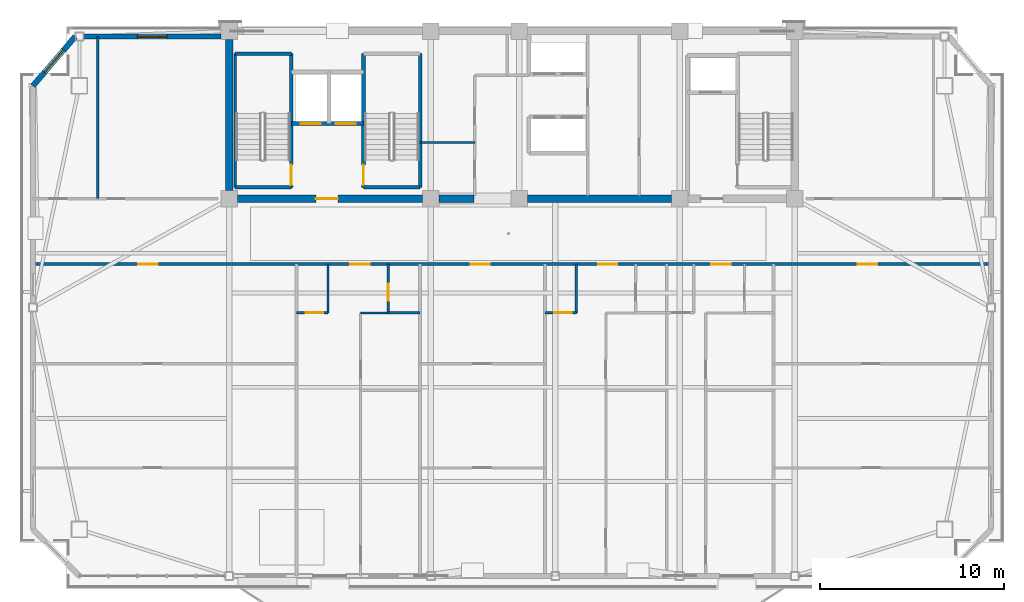
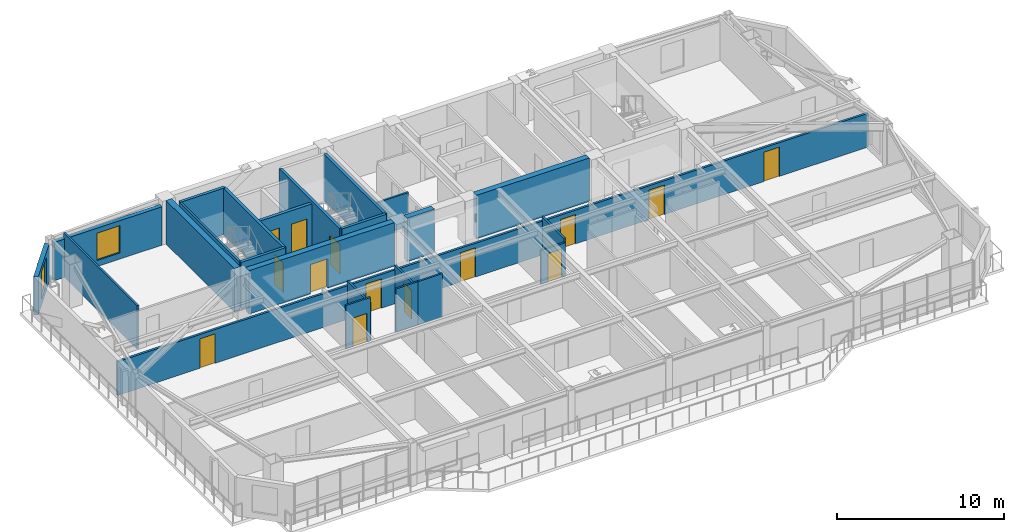
# One storey, part 9 of 17: 24 walls, 14 doors, 2 windows, 16 openings.
"""IFC4 building model written with IfcOpenShell, lengths in metres."""

import ifcopenshell
import ifcopenshell.guid

model = None  # the IFC model being written
_history = None  # IfcOwnerHistory: only IFC2X3 demands one
_inside = {}  # id of a spatial element -> (the spatial element, [elements in it])
_under = {}  # id of a project, library or spatial element -> (it, [spatial elements below it])
_declared = {}  # id of a project -> (the project, [libraries it declares])
_typed = {}  # id of a type object -> (the type object, [elements of that type])
_made_of = {}  # id of a material, layer set ... -> (it, [elements and type objects made of it])


def new_model(schema):
    """Start an empty IFC model of exactly this schema.

    Asked for "IFC4X3", IfcOpenShell would pick the latest addendum, in which some entities
    have other attributes; the version numbers below select the first issue.
    IFC2X3 requires an IfcOwnerHistory on every rooted entity: one is made here for all.
    """
    global model, _history
    if schema == "IFC4X3":
        model = ifcopenshell.file(schema_version=(4, 3, 0, 0))
    else:
        model = ifcopenshell.file(schema=schema)
    _inside.clear()
    _under.clear()
    _declared.clear()
    _typed.clear()
    _made_of.clear()
    _history = None
    if model.schema == "IFC2X3":
        org = make("IfcOrganization", Name="unknown")
        user = make(
            "IfcPersonAndOrganization",
            ThePerson=make("IfcPerson", FamilyName="unknown"),
            TheOrganization=org,
        )
        app = make(
            "IfcApplication",
            ApplicationDeveloper=org,
            Version="unknown",
            ApplicationFullName="unknown",
            ApplicationIdentifier="unknown",
        )
        _history = make(
            "IfcOwnerHistory",
            OwningUser=user,
            OwningApplication=app,
            ChangeAction="ADDED",
            CreationDate=0,
        )
    return model


def make(cls, **values):
    """One entity of the class cls with the attributes given. An attribute that is None is left unset."""
    return model.create_entity(
        cls, **{name: value for name, value in values.items() if value is not None}
    )


def rooted(cls, **values):
    """An entity with a GlobalId (a new one), such as an element, a storey or a relation."""
    return make(cls, GlobalId=ifcopenshell.guid.new(), OwnerHistory=_history, **values)


def si_unit(unit_type, name, prefix=None):
    """IfcSIUnit, for example si_unit("LENGTHUNIT", "METRE", prefix="MILLI")."""
    return make("IfcSIUnit", UnitType=unit_type, Prefix=prefix, Name=name)


def assignment(units):
    """IfcUnitAssignment: the units of a project."""
    return None if units is None else make("IfcUnitAssignment", Units=units)


def point(xyz):
    """IfcCartesianPoint."""
    return None if xyz is None else make("IfcCartesianPoint", Coordinates=xyz)


def direction(xyz):
    """IfcDirection."""
    return None if xyz is None else make("IfcDirection", DirectionRatios=xyz)


def frame(location, z_axis=None, x_axis=None):
    """IfcAxis2Placement3D, a coordinate frame: its origin and axes. An axis left out is left unset."""
    return make(
        "IfcAxis2Placement3D",
        Location=point(location),
        Axis=direction(z_axis),
        RefDirection=direction(x_axis),
    )


def frame_2d(location, x_axis=None):
    """IfcAxis2Placement2D, a coordinate frame in the plane: its origin and x axis."""
    return make(
        "IfcAxis2Placement2D", Location=point(location), RefDirection=direction(x_axis)
    )


def origin():
    """The frame at (0, 0, 0) with its axes left unset."""
    return frame((0.0, 0.0, 0.0))


def place(relative_to, where):
    """IfcLocalPlacement: puts the frame where relative to a parent placement (None: the world)."""
    return make(
        "IfcLocalPlacement", PlacementRelTo=relative_to, RelativePlacement=where
    )


def context(
    kind, dimensions, precision=None, world=None, true_north=None, identifier=None
):
    """IfcGeometricRepresentationContext, for example the 3D "Model" context."""
    return make(
        "IfcGeometricRepresentationContext",
        ContextIdentifier=identifier,
        ContextType=kind,
        CoordinateSpaceDimension=dimensions,
        Precision=precision,
        WorldCoordinateSystem=world,
        TrueNorth=true_north,
    )


def subcontext(parent, identifier, kind, view, scale=None):
    """IfcGeometricRepresentationSubContext, for example "Body" below "Model"."""
    return make(
        "IfcGeometricRepresentationSubContext",
        ContextIdentifier=identifier,
        ContextType=kind,
        ParentContext=parent,
        TargetScale=scale,
        TargetView=view,
    )


def project(units=None, contexts=None):
    """IfcProject with its units and contexts."""
    return rooted(
        "IfcProject",
        Name="project",
        RepresentationContexts=contexts,
        UnitsInContext=assignment(units),
    )


def spatial(cls, under=None, at=None, **own):
    """A site, building, storey or space (cls), placed at a placement, below another one or the project."""
    s = rooted(cls, ObjectPlacement=at, **own)
    if under is not None:
        _under.setdefault(under.id(), (under, []))[1].append(s)
    return s


def profile(cls, at=None, kind="AREA", **sizes):
    """A parametric profile (cls). Its sizes go by their IFC names, for example OverallWidth=200.0."""
    return make(cls, ProfileType=kind, Position=at, **sizes)


def rectangle(**sizes):
    """IfcRectangleProfileDef."""
    return profile("IfcRectangleProfileDef", **sizes)


def extrude(swept, where, along, depth):
    """IfcExtrudedAreaSolid: the profile swept, set in the frame where, extruded along a direction by depth."""
    return make(
        "IfcExtrudedAreaSolid",
        SweptArea=swept,
        Position=where,
        ExtrudedDirection=direction(along),
        Depth=depth,
    )


def shape(context_of_items, identifier, shape_type, items):
    """IfcShapeRepresentation: the items that make up one representation, for example the "Body"."""
    return make(
        "IfcShapeRepresentation",
        ContextOfItems=context_of_items,
        RepresentationIdentifier=identifier,
        RepresentationType=shape_type,
        Items=items,
    )


def source(mapping_origin, context_of_items, identifier, shape_type, items):
    """IfcRepresentationMap: a shape defined once, which mapped items show again and again."""
    return make(
        "IfcRepresentationMap",
        MappingOrigin=mapping_origin,
        MappedRepresentation=shape(context_of_items, identifier, shape_type, items),
    )


def transform(
    local_origin,
    x_axis=None,
    y_axis=None,
    z_axis=None,
    scale=None,
    scale2=None,
    scale3=None,
    uniform=True,
):
    """IfcCartesianTransformationOperator3D, or its non-uniform kind. x_axis, y_axis, z_axis: its Axis1, 2, 3."""
    if uniform:
        return make(
            "IfcCartesianTransformationOperator3D",
            Axis1=direction(x_axis),
            Axis2=direction(y_axis),
            LocalOrigin=point(local_origin),
            Scale=scale,
            Axis3=direction(z_axis),
        )
    return make(
        "IfcCartesianTransformationOperator3DnonUniform",
        Axis1=direction(x_axis),
        Axis2=direction(y_axis),
        LocalOrigin=point(local_origin),
        Scale=scale,
        Axis3=direction(z_axis),
        Scale2=scale2,
        Scale3=scale3,
    )


def mapped(mapping_source, mapping_target):
    """IfcMappedItem: shows the shape of a source again, moved by a transform."""
    return make(
        "IfcMappedItem", MappingSource=mapping_source, MappingTarget=mapping_target
    )


def material(Name=None, Category=None):
    """IfcMaterial."""
    return make("IfcMaterial", Name=Name, Category=Category)


def layer(
    of_material, thickness, ventilated=None, Name=None, Category=None, Priority=None
):
    """IfcMaterialLayer: one layer of a wall or slab, of a material (None: an air gap)."""
    return make(
        "IfcMaterialLayer",
        Material=of_material,
        LayerThickness=thickness,
        IsVentilated=ventilated,
        Name=Name,
        Category=Category,
        Priority=Priority,
    )


def layer_set(layers, Name=None):
    """IfcMaterialLayerSet."""
    return make("IfcMaterialLayerSet", MaterialLayers=layers, LayerSetName=Name)


def made_of(thing, what):
    """Note that an element or type object is made of a material, layer set ...; save() writes the relation."""
    if what is not None:
        _made_of.setdefault(what.id(), (what, []))[1].append(thing)
    return thing


def type_object(cls, material=None, **own):
    """A type object (cls), such as IfcWallType, which elements share."""
    return made_of(rooted(cls, **own), material)


def element(
    cls,
    number,
    at=None,
    inside=None,
    cuts=None,
    type_object=None,
    material=None,
    context=None,
    identifier="Body",
    shape_type=None,
    held_by="IfcProductDefinitionShape",
    body=None,
    shapes=None,
    **own,
):
    """One element of the class cls, such as IfcWall. Its Tag is "e" and its number.

    at: its placement. inside: the storey or other place that contains it. cuts: it is an
    opening in that element (IfcRelVoidsElement). A single representation is given by context,
    identifier, shape_type and body (its items); several are given by shapes. held_by: the class
    of the entity that holds the representations. save() writes the other relations.
    """
    e = rooted(cls, Tag="e%d" % number, ObjectPlacement=at, **own)
    if body is not None:
        shapes = [shape(context, identifier, shape_type, body)]
    if shapes is not None:
        e.Representation = make(held_by, Representations=shapes)
    if inside is not None:
        _inside.setdefault(inside.id(), (inside, []))[1].append(e)
    if cuts is not None:
        rooted(
            "IfcRelVoidsElement", RelatingBuildingElement=cuts, RelatedOpeningElement=e
        )
    if type_object is not None:
        _typed.setdefault(type_object.id(), (type_object, []))[1].append(e)
    return made_of(e, material)


def fill(opening, filler):
    """IfcRelFillsElement: the door or window that sits in an opening."""
    return rooted(
        "IfcRelFillsElement",
        RelatingOpeningElement=opening,
        RelatedBuildingElement=filler,
    )


def aggregate(whole, parts):
    """IfcRelAggregates: a whole, such as a stair, and the parts it consists of."""
    return rooted("IfcRelAggregates", RelatingObject=whole, RelatedObjects=parts)


def save(model, path):
    """Write the relations noted so far, then the file.

    IfcRelAggregates (storeys below a building ...), IfcRelContainedInSpatialStructure (elements
    in a storey), IfcRelDefinesByType, IfcRelAssociatesMaterial and IfcRelDeclares: one each for
    every whole, place, type object, material and project.
    """
    for whole, parts in _under.values():
        aggregate(whole, parts)
    for where, things in _inside.values():
        rooted(
            "IfcRelContainedInSpatialStructure",
            RelatedElements=things,
            RelatingStructure=where,
        )
    for kind, things in _typed.values():
        rooted("IfcRelDefinesByType", RelatedObjects=things, RelatingType=kind)
    for what, things in _made_of.values():
        rooted("IfcRelAssociatesMaterial", RelatedObjects=things, RelatingMaterial=what)
    for by, libraries in _declared.values():
        rooted("IfcRelDeclares", RelatingContext=by, RelatedDefinitions=libraries)
    model.write(path)


model = new_model("IFC4")

# Units and contexts
model_context = context("Model", 3, precision=1e-05, world=origin(), true_north=direction((0.0, 1.0)))
body_context = subcontext(model_context, "Body", "Model", "MODEL_VIEW")
ifc_project = project(units=[si_unit("LENGTHUNIT", "METRE"), si_unit("AREAUNIT", "SQUARE_METRE"), si_unit("VOLUMEUNIT", "CUBIC_METRE"), si_unit("PLANEANGLEUNIT", "RADIAN"), si_unit("MASSUNIT", "GRAM", prefix="KILO")], contexts=[model_context])

# Site, building, storey
site_placement = place(None, origin())
site = spatial("IfcSite", under=ifc_project, at=site_placement, CompositionType="ELEMENT")
building_placement = place(site_placement, origin())
building = spatial("IfcBuilding", under=site, at=building_placement, Name="Giltprow Tower", CompositionType="ELEMENT")
storey_placement = place(building_placement, frame((0.0, 0.0, 268.89990234375)))
storey = spatial("IfcBuildingStorey", under=building, at=storey_placement, Name="L69", CompositionType="ELEMENT", Elevation=268.89990234375)

# Wall, opening, window
ifc_material_1 = material(Name="Precast concrete C40", Category="concrete")
ifc_layer_1 = layer(ifc_material_1, 0.300048828125, Name="Precast concrete C40")
ifc_layer_set_1 = layer_set([ifc_layer_1], Name="Precast concrete C40")
wall_type_1 = type_object("IfcWallType", Name="EW-NOTCH-CHAMFER-300", PredefinedType="SOLIDWALL", material=ifc_layer_set_1)
wall_1_placement = place(storey_placement, frame((11.491943359375, 46.25, 0.0), z_axis=(0.0, 0.0, 1.0), x_axis=(-0.651874424669, -0.75832693112, 0.0)))
wall_1 = element("IfcWall", 1, at=wall_1_placement, inside=storey, type_object=wall_type_1, Name="L69 Corner Notch Wall NW", PredefinedType="SOLIDWALL", context=body_context, shape_type="SweptSolid", body=[
    extrude(rectangle(XDim=3.52490234375, YDim=0.300048828125, at=frame_2d((1.762451171875, 0.0))), origin(), (0.0, 0.0, 1.0), 2.815185546875),
])
opening_1_placement = place(wall_1_placement, frame((0.962890625, 0.0, 0.449951171875)))
opening_1 = element("IfcOpeningElement", 2, at=opening_1_placement, cuts=wall_1, Name="Opening WN17", PredefinedType="OPENING", context=body_context, shape_type="SweptSolid", body=[
    extrude(rectangle(XDim=1.60009765625, YDim=2.0, at=frame_2d((0.800048828125, 1.0))), frame((0.0, 0.159912109375, 0.0), z_axis=(0.0, -1.0, 0.0), x_axis=(1.0, 0.0, 0.0)), (0.0, 0.0, 1.0), 0.320068359375),
])
ifc_material_2 = material(Name="Insulated glass", Category="glass")
window_type = type_object("IfcWindowType", Name="WN-COR-1600x2000", PartitioningType="SINGLE_PANEL", PredefinedType="WINDOW", material=ifc_material_2)
shared_shape_1 = source(origin(), body_context, "Body", "SweptSolid", [
    extrude(rectangle(XDim=1.60009765625, YDim=2.0, at=frame_2d((0.800048828125, 1.0))), frame((0.0, 0.030029296875, 0.0), z_axis=(0.0, -1.0, 0.0), x_axis=(1.0, 0.0, 0.0)), (0.0, 0.0, 1.0), 0.06005859375),
])
window_1_placement = place(opening_1_placement, origin())
window_1 = element("IfcWindow", 3, at=window_1_placement, inside=storey, type_object=window_type, Name="L69 Corner Notch Window NW", OverallHeight=2.0, OverallWidth=1.60009765625, PartitioningType="SINGLE_PANEL", PredefinedType="WINDOW", context=body_context, shape_type="MappedRepresentation", body=[
    mapped(shared_shape_1, transform((0.0, 0.0, 0.0), x_axis=(1.0, 0.0, 0.0), y_axis=(0.0, 1.0, 0.0), z_axis=(0.0, 0.0, 1.0), scale=1.0)),
])
fill(opening_1, window_1)

ifc_layer_2 = layer(ifc_material_1, 0.280029296875, Name="Precast concrete C40")
ifc_layer_set_2 = layer_set([ifc_layer_2], Name="Precast concrete C40")
wall_type_2 = type_object("IfcWallType", Name="EW-TOW-BRONZE-280", PredefinedType="SOLIDWALL", material=ifc_layer_set_2)
wall_2_placement = place(storey_placement, frame((11.94189453125, 46.25, 0.0), z_axis=(0.0, 0.0, 1.0), x_axis=(1.0, 0.0, 0.0)))
wall_2 = element("IfcWall", 4, at=wall_2_placement, inside=storey, type_object=wall_type_2, Name="L69 North-West Wing Wall", PredefinedType="SOLIDWALL", context=body_context, shape_type="SweptSolid", body=[
    extrude(rectangle(XDim=7.4580078125, YDim=0.280029296875, at=frame_2d((3.72900390625, 0.0))), origin(), (0.0, 0.0, 1.0), 2.815185546875),
])
opening_2_placement = place(wall_2_placement, frame((2.928955078125, 0.0, 0.449951171875)))
opening_2 = element("IfcOpeningElement", 5, at=opening_2_placement, cuts=wall_2, Name="Opening WN17", PredefinedType="OPENING", context=body_context, shape_type="SweptSolid", body=[
    extrude(rectangle(XDim=1.60009765625, YDim=2.0, at=frame_2d((0.800048828125, 1.0))), frame((0.0, 0.14990234375, 0.0), z_axis=(0.0, -1.0, 0.0), x_axis=(1.0, 0.0, 0.0)), (0.0, 0.0, 1.0), 0.300048828125),
])
window_2_placement = place(opening_2_placement, origin())
window_2 = element("IfcWindow", 6, at=window_2_placement, inside=storey, type_object=window_type, Name="L69 North-West Window", OverallHeight=2.0, OverallWidth=1.60009765625, PartitioningType="SINGLE_PANEL", PredefinedType="WINDOW", context=body_context, shape_type="MappedRepresentation", body=[
    mapped(shared_shape_1, transform((0.0, 0.0, 0.0), x_axis=(1.0, 0.0, 0.0), y_axis=(0.0, 1.0, 0.0), z_axis=(0.0, 0.0, 1.0), scale=1.0)),
])
fill(opening_2, window_2)

# Wall, openings, doors
ifc_material_3 = material(Name="Gypsum stud partition", Category="gypsum")
ifc_layer_3 = layer(ifc_material_3, 0.14990234375, Name="Gypsum stud partition")
ifc_layer_set_3 = layer_set([ifc_layer_3], Name="Gypsum stud partition")
wall_type_3 = type_object("IfcWallType", Name="IW-CORR-150", PredefinedType="PARTITIONING", material=ifc_layer_set_3)
wall_3_placement = place(storey_placement, frame((9.194091796875, 33.89990234375, 0.0), z_axis=(0.0, 0.0, 1.0), x_axis=(1.0, 0.0, 0.0)))
wall_3 = element("IfcWall", 7, at=wall_3_placement, inside=storey, type_object=wall_type_3, Name="L69 Residence Gallery Corridor Wall", PredefinedType="PARTITIONING", context=body_context, shape_type="SweptSolid", body=[
    extrude(rectangle(XDim=52.012939453125, YDim=0.14990234375, at=frame_2d((26.00634765625, 0.0))), origin(), (0.0, 0.0, 1.0), 2.47021484375),
])
opening_3_placement = place(wall_3_placement, frame((5.72900390625, 0.0, 0.0)))
opening_3 = element("IfcOpeningElement", 8, at=opening_3_placement, cuts=wall_3, Name="Opening ID31", PredefinedType="OPENING", context=body_context, shape_type="SweptSolid", body=[
    extrude(rectangle(XDim=1.050048828125, YDim=2.14990234375, at=frame_2d((0.52490234375, 1.074951171875))), frame((0.0, 0.0849609375, 0.0), z_axis=(0.0, -1.0, 0.0), x_axis=(1.0, 0.0, 0.0)), (0.0, 0.0, 1.0), 0.169921875),
])
opening_4_placement = place(wall_3_placement, frame((17.23095703125, 0.0, 0.0)))
opening_4 = element("IfcOpeningElement", 9, at=opening_4_placement, cuts=wall_3, Name="Opening ID31", PredefinedType="OPENING", context=body_context, shape_type="SweptSolid", body=[
    extrude(rectangle(XDim=1.050048828125, YDim=2.14990234375, at=frame_2d((0.52490234375, 1.074951171875))), frame((0.0, 0.0849609375, 0.0), z_axis=(0.0, -1.0, 0.0), x_axis=(1.0, 0.0, 0.0)), (0.0, 0.0, 1.0), 0.169921875),
])
opening_5_placement = place(wall_3_placement, frame((23.759033203125, 0.0, 0.0)))
opening_5 = element("IfcOpeningElement", 10, at=opening_5_placement, cuts=wall_3, Name="Opening ID31", PredefinedType="OPENING", context=body_context, shape_type="SweptSolid", body=[
    extrude(rectangle(XDim=1.050048828125, YDim=2.14990234375, at=frame_2d((0.52490234375, 1.074951171875))), frame((0.0, 0.0849609375, 0.0), z_axis=(0.0, -1.0, 0.0), x_axis=(1.0, 0.0, 0.0)), (0.0, 0.0, 1.0), 0.169921875),
])
opening_6_placement = place(wall_3_placement, frame((30.680908203125, 0.0, 0.0)))
opening_6 = element("IfcOpeningElement", 11, at=opening_6_placement, cuts=wall_3, Name="Opening ID31", PredefinedType="OPENING", context=body_context, shape_type="SweptSolid", body=[
    extrude(rectangle(XDim=1.050048828125, YDim=2.14990234375, at=frame_2d((0.52490234375, 1.074951171875))), frame((0.0, 0.0849609375, 0.0), z_axis=(0.0, -1.0, 0.0), x_axis=(1.0, 0.0, 0.0)), (0.0, 0.0, 1.0), 0.169921875),
])
opening_7_placement = place(wall_3_placement, frame((36.825927734375, 0.0, 0.0)))
opening_7 = element("IfcOpeningElement", 12, at=opening_7_placement, cuts=wall_3, Name="Opening ID31", PredefinedType="OPENING", context=body_context, shape_type="SweptSolid", body=[
    extrude(rectangle(XDim=1.050048828125, YDim=2.14990234375, at=frame_2d((0.52490234375, 1.074951171875))), frame((0.0, 0.0849609375, 0.0), z_axis=(0.0, -1.0, 0.0), x_axis=(1.0, 0.0, 0.0)), (0.0, 0.0, 1.0), 0.169921875),
])
opening_8_placement = place(wall_3_placement, frame((44.785888671875, 0.0, 0.0)))
opening_8 = element("IfcOpeningElement", 13, at=opening_8_placement, cuts=wall_3, Name="Opening ID31", PredefinedType="OPENING", context=body_context, shape_type="SweptSolid", body=[
    extrude(rectangle(XDim=1.050048828125, YDim=2.14990234375, at=frame_2d((0.52490234375, 1.074951171875))), frame((0.0, 0.0849609375, 0.0), z_axis=(0.0, -1.0, 0.0), x_axis=(1.0, 0.0, 0.0)), (0.0, 0.0, 1.0), 0.169921875),
])
ifc_material_4 = material(Name="Engineered timber", Category="wood")
door_type_1 = type_object("IfcDoorType", Name="DR-SUITE-1050", OperationType="SINGLE_SWING_LEFT", PredefinedType="DOOR", material=ifc_material_4)
shared_shape_2 = source(origin(), body_context, "Body", "SweptSolid", [
    extrude(rectangle(XDim=1.050048828125, YDim=2.14990234375, at=frame_2d((0.52490234375, 1.074951171875))), frame((0.0, 0.02490234375, 0.0), z_axis=(0.0, -1.0, 0.0), x_axis=(1.0, 0.0, 0.0)), (0.0, 0.0, 1.0), 0.050048828125),
])
door_1_placement = place(opening_3_placement, origin())
door_1 = element("IfcDoor", 14, at=door_1_placement, inside=storey, type_object=door_type_1, Name="L69 Residents Board Meeting Room 1 North Door", OperationType="SINGLE_SWING_LEFT", OverallHeight=2.14990234375, OverallWidth=1.050048828125, PredefinedType="DOOR", context=body_context, shape_type="MappedRepresentation", body=[
    mapped(shared_shape_2, transform((0.0, 0.0, 0.0), x_axis=(1.0, 0.0, 0.0), y_axis=(0.0, 1.0, 0.0), z_axis=(0.0, 0.0, 1.0), scale=1.0)),
])
fill(opening_3, door_1)
door_2_placement = place(opening_4_placement, origin())
door_2 = element("IfcDoor", 15, at=door_2_placement, inside=storey, type_object=door_type_1, Name="L69 Unit 1 Entrance Door", OperationType="SINGLE_SWING_RIGHT", OverallHeight=2.14990234375, OverallWidth=1.050048828125, PredefinedType="DOOR", context=body_context, shape_type="MappedRepresentation", body=[
    mapped(shared_shape_2, transform((0.0, 0.0, 0.0), x_axis=(1.0, 0.0, 0.0), y_axis=(0.0, 1.0, 0.0), z_axis=(0.0, 0.0, 1.0), scale=1.0)),
])
fill(opening_4, door_2)
door_3_placement = place(opening_5_placement, origin())
door_3 = element("IfcDoor", 16, at=door_3_placement, inside=storey, type_object=door_type_1, Name="L69 Briefing Meeting Room 2 North Door", OperationType="SINGLE_SWING_LEFT", OverallHeight=2.14990234375, OverallWidth=1.050048828125, PredefinedType="DOOR", context=body_context, shape_type="MappedRepresentation", body=[
    mapped(shared_shape_2, transform((0.0, 0.0, 0.0), x_axis=(1.0, 0.0, 0.0), y_axis=(0.0, 1.0, 0.0), z_axis=(0.0, 0.0, 1.0), scale=1.0)),
])
fill(opening_5, door_3)
door_4_placement = place(opening_6_placement, origin())
door_4 = element("IfcDoor", 17, at=door_4_placement, inside=storey, type_object=door_type_1, Name="L69 Unit 2 Entrance Door", OperationType="SINGLE_SWING_RIGHT", OverallHeight=2.14990234375, OverallWidth=1.050048828125, PredefinedType="DOOR", context=body_context, shape_type="MappedRepresentation", body=[
    mapped(shared_shape_2, transform((0.0, 0.0, 0.0), x_axis=(1.0, 0.0, 0.0), y_axis=(0.0, 1.0, 0.0), z_axis=(0.0, 0.0, 1.0), scale=1.0)),
])
fill(opening_6, door_4)
door_5_placement = place(opening_7_placement, origin())
door_5 = element("IfcDoor", 18, at=door_5_placement, inside=storey, type_object=door_type_1, Name="L69 Unit 3 Entrance Door", OperationType="SINGLE_SWING_LEFT", OverallHeight=2.14990234375, OverallWidth=1.050048828125, PredefinedType="DOOR", context=body_context, shape_type="MappedRepresentation", body=[
    mapped(shared_shape_2, transform((0.0, 0.0, 0.0), x_axis=(1.0, 0.0, 0.0), y_axis=(0.0, 1.0, 0.0), z_axis=(0.0, 0.0, 1.0), scale=1.0)),
])
fill(opening_7, door_5)
door_6_placement = place(opening_8_placement, origin())
door_6 = element("IfcDoor", 19, at=door_6_placement, inside=storey, type_object=door_type_1, Name="L69 Screening Meeting Room 3 North Door", OperationType="SINGLE_SWING_RIGHT", OverallHeight=2.14990234375, OverallWidth=1.050048828125, PredefinedType="DOOR", context=body_context, shape_type="MappedRepresentation", body=[
    mapped(shared_shape_2, transform((0.0, 0.0, 0.0), x_axis=(1.0, 0.0, 0.0), y_axis=(0.0, 1.0, 0.0), z_axis=(0.0, 0.0, 1.0), scale=1.0)),
])
fill(opening_8, door_6)

# Wall
ifc_layer_4 = layer(ifc_material_3, 0.1201171875, Name="Gypsum stud partition")
ifc_layer_set_4 = layer_set([ifc_layer_4], Name="Gypsum stud partition")
wall_type_4 = type_object("IfcWallType", Name="IW-ROOM-120", PredefinedType="PARTITIONING", material=ifc_layer_set_4)
wall_4_placement = place(storey_placement, frame((26.97998046875, 31.25, 0.0), z_axis=(0.0, 0.0, 1.0), x_axis=(1.0, 0.0, 0.0)))
element("IfcWall", 20, at=wall_4_placement, inside=storey, type_object=wall_type_4, Name="L69 Unit 1 Bedroom North Wall", PredefinedType="PARTITIONING", context=body_context, shape_type="SweptSolid", body=[
    extrude(rectangle(XDim=1.505126953125, YDim=0.1201171875, at=frame_2d((0.75244140625, 0.0))), origin(), (0.0, 0.0, 1.0), 3.18505859375),
])

# Wall, openings, doors
ifc_material_5 = material(Name="Concrete C40", Category="concrete")
ifc_layer_5 = layer(ifc_material_5, 0.219970703125, Name="Concrete C40")
ifc_layer_set_5 = layer_set([ifc_layer_5], Name="Concrete C40")
wall_type_5 = type_object("IfcWallType", Name="IW-SHAFT-220", PredefinedType="SOLIDWALL", material=ifc_layer_set_5)
wall_5_placement = place(storey_placement, frame((23.219970703125, 41.52001953125, 0.0), z_axis=(0.0, 0.0, 1.0), x_axis=(1.0, 0.0, 0.0)))
wall_5 = element("IfcWall", 21, at=wall_5_placement, inside=storey, type_object=wall_type_5, Name="L69 FFL1 and Service Lift Front Wall", PredefinedType="SOLIDWALL", context=body_context, shape_type="SweptSolid", body=[
    extrude(rectangle(XDim=3.919921875, YDim=0.219970703125, at=frame_2d((1.9599609375, 0.0))), origin(), (0.0, 0.0, 1.0), 3.18505859375),
])
opening_9_placement = place(wall_5_placement, frame((0.5, 0.0, 0.0)))
opening_9 = element("IfcOpeningElement", 22, at=opening_9_placement, cuts=wall_5, Name="Opening LD-11", PredefinedType="OPENING", context=body_context, shape_type="SweptSolid", body=[
    extrude(rectangle(XDim=1.10009765625, YDim=2.199951171875, at=frame_2d((0.550048828125, 1.10009765625))), frame((0.0, 0.119873046875, 0.0), z_axis=(0.0, -1.0, 0.0), x_axis=(1.0, 0.0, 0.0)), (0.0, 0.0, 1.0), 0.239990234375),
])
opening_10_placement = place(wall_5_placement, frame((2.39990234375, 0.0, 0.0)))
opening_10 = element("IfcOpeningElement", 23, at=opening_10_placement, cuts=wall_5, Name="Opening LD-11", PredefinedType="OPENING", context=body_context, shape_type="SweptSolid", body=[
    extrude(rectangle(XDim=1.10009765625, YDim=2.199951171875, at=frame_2d((0.550048828125, 1.10009765625))), frame((0.0, 0.119873046875, 0.0), z_axis=(0.0, -1.0, 0.0), x_axis=(1.0, 0.0, 0.0)), (0.0, 0.0, 1.0), 0.239990234375),
])
ifc_material_6 = material(Name="Stainless steel", Category="steel")
door_type_2 = type_object("IfcDoorType", Name="DR-LIFT-LD1100", OperationType="SLIDING_TO_LEFT", PredefinedType="DOOR", material=ifc_material_6)
shared_shape_3 = source(origin(), body_context, "Body", "SweptSolid", [
    extrude(rectangle(XDim=1.10009765625, YDim=2.199951171875, at=frame_2d((0.550048828125, 1.10009765625))), frame((0.0, 0.02490234375, 0.0), z_axis=(0.0, -1.0, 0.0), x_axis=(1.0, 0.0, 0.0)), (0.0, 0.0, 1.0), 0.050048828125),
])
door_7_placement = place(opening_9_placement, origin())
door_7 = element("IfcDoor", 24, at=door_7_placement, inside=storey, type_object=door_type_2, Name="L69 FFL1 Landing Door", OperationType="SLIDING_TO_LEFT", OverallHeight=2.199951171875, OverallWidth=1.10009765625, PredefinedType="DOOR", context=body_context, shape_type="MappedRepresentation", body=[
    mapped(shared_shape_3, transform((0.0, 0.0, 0.0), x_axis=(1.0, 0.0, 0.0), y_axis=(0.0, 1.0, 0.0), z_axis=(0.0, 0.0, 1.0), scale=1.0)),
])
fill(opening_9, door_7)
door_8_placement = place(opening_10_placement, origin())
door_8 = element("IfcDoor", 25, at=door_8_placement, inside=storey, type_object=door_type_2, Name="L69 SVL1 Landing Door", OperationType="SLIDING_TO_LEFT", OverallHeight=2.199951171875, OverallWidth=1.10009765625, PredefinedType="DOOR", context=body_context, shape_type="MappedRepresentation", body=[
    mapped(shared_shape_3, transform((0.0, 0.0, 0.0), x_axis=(1.0, 0.0, 0.0), y_axis=(0.0, 1.0, 0.0), z_axis=(0.0, 0.0, 1.0), scale=1.0)),
])
fill(opening_10, door_8)

# Wall
ifc_material_7 = material(Name="Concrete C45", Category="concrete")
ifc_layer_6 = layer(ifc_material_7, 0.139892578125, Name="Concrete C45")
ifc_layer_set_6 = layer_set([ifc_layer_6], Name="Concrete C45")
wall_type_6 = type_object("IfcWallType", Name="IW-STAIR-140", PredefinedType="SOLIDWALL", material=ifc_layer_set_6)
wall_6_placement = place(storey_placement, frame((20.169921875, 38.070068359375, 0.0), z_axis=(0.0, 0.0, 1.0), x_axis=(0.0, 1.0, 0.0)))
element("IfcWall", 26, at=wall_6_placement, inside=storey, type_object=wall_type_6, Name="L69 Stair ST-1 West Bearing Wall", PredefinedType="SOLIDWALL", context=body_context, shape_type="SweptSolid", body=[
    extrude(rectangle(XDim=7.25, YDim=0.139892578125, at=frame_2d((3.625, 0.0))), origin(), (0.0, 0.0, 1.0), 3.400146484375),
])

# Wall, opening, door
ifc_layer_7 = layer(ifc_material_5, 0.199951171875, Name="Concrete C40")
ifc_layer_set_7 = layer_set([ifc_layer_7], Name="Concrete C40")
wall_type_7 = type_object("IfcWallType", Name="IW-STAIR-200", PredefinedType="SOLIDWALL", material=ifc_layer_set_7)
wall_7_placement = place(storey_placement, frame((23.219970703125, 38.070068359375, 0.0), z_axis=(0.0, 0.0, 1.0), x_axis=(0.0, 1.0, 0.0)))
wall_7 = element("IfcWall", 27, at=wall_7_placement, inside=storey, type_object=wall_type_7, Name="L69 Stair ST-1 East Bearing Wall", PredefinedType="SOLIDWALL", context=body_context, shape_type="SweptSolid", body=[
    extrude(rectangle(XDim=7.25, YDim=0.199951171875, at=frame_2d((3.625, 0.0))), origin(), (0.0, 0.0, 1.0), 3.400146484375),
])
opening_11_placement = place(wall_7_placement, frame((0.110107421875, 0.0, 0.0)))
opening_11 = element("IfcOpeningElement", 28, at=opening_11_placement, cuts=wall_7, Name="Opening ID33", PredefinedType="OPENING", context=body_context, shape_type="SweptSolid", body=[
    extrude(rectangle(XDim=1.10009765625, YDim=2.14990234375, at=frame_2d((0.550048828125, 1.074951171875))), frame((0.0, 0.10986328125, 0.0), z_axis=(0.0, -1.0, 0.0), x_axis=(1.0, 0.0, 0.0)), (0.0, 0.0, 1.0), 0.219970703125),
])
ifc_material_8 = material(Name="Steel fire leaf", Category="steel")
door_type_3 = type_object("IfcDoorType", Name="DR-STAIR-1100", OperationType="SINGLE_SWING_LEFT", PredefinedType="DOOR", material=ifc_material_8)
shared_shape_4 = source(origin(), body_context, "Body", "SweptSolid", [
    extrude(rectangle(XDim=1.10009765625, YDim=2.14990234375, at=frame_2d((0.550048828125, 1.074951171875))), frame((0.0, 0.02490234375, 0.0), z_axis=(0.0, -1.0, 0.0), x_axis=(1.0, 0.0, 0.0)), (0.0, 0.0, 1.0), 0.050048828125),
])
door_9_placement = place(opening_11_placement, origin())
door_9 = element("IfcDoor", 29, at=door_9_placement, inside=storey, type_object=door_type_3, Name="L69 Stair ST-1 Fire Door", OperationType="SINGLE_SWING_RIGHT", OverallHeight=2.14990234375, OverallWidth=1.10009765625, PredefinedType="DOOR", context=body_context, shape_type="MappedRepresentation", body=[
    mapped(shared_shape_4, transform((0.0, 0.0, 0.0), x_axis=(1.0, 0.0, 0.0), y_axis=(0.0, 1.0, 0.0), z_axis=(0.0, 0.0, 1.0), scale=1.0)),
])
fill(opening_11, door_9)

# Walls
for number, where, z_axis, x_axis, name in (
    (30, (20.169921875, 45.320068359375, 0.0), (0.0, 0.0, 1.0), (1.0, 0.0, 0.0), "L69 Stair ST-1 North Bearing Wall"),
    (31, (20.169921875, 38.070068359375, 0.0), (0.0, 0.0, 1.0), (1.0, 0.0, 0.0), "L69 Stair ST-1 South Bearing Wall"),
):
    element("IfcWall", number, at=place(storey_placement, frame(where, z_axis=z_axis, x_axis=x_axis)), inside=storey, type_object=wall_type_7, Name=name, PredefinedType="SOLIDWALL", context=body_context, shape_type="SweptSolid", body=[
        extrude(rectangle(XDim=3.050048828125, YDim=0.199951171875, at=frame_2d((1.52490234375, 0.0))), origin(), (0.0, 0.0, 1.0), 3.400146484375),
    ])

# Wall, opening, door
wall_8_placement = place(storey_placement, frame((27.139892578125, 38.070068359375, 0.0), z_axis=(0.0, 0.0, 1.0), x_axis=(0.0, 1.0, 0.0)))
wall_8 = element("IfcWall", 32, at=wall_8_placement, inside=storey, type_object=wall_type_7, Name="L69 Stair ST-2 West Bearing Wall", PredefinedType="SOLIDWALL", context=body_context, shape_type="SweptSolid", body=[
    extrude(rectangle(XDim=7.25, YDim=0.199951171875, at=frame_2d((3.625, 0.0))), origin(), (0.0, 0.0, 1.0), 3.400146484375),
])
opening_12_placement = place(wall_8_placement, frame((0.110107421875, 0.0, 0.0)))
opening_12 = element("IfcOpeningElement", 33, at=opening_12_placement, cuts=wall_8, Name="Opening ID33", PredefinedType="OPENING", context=body_context, shape_type="SweptSolid", body=[
    extrude(rectangle(XDim=1.10009765625, YDim=2.14990234375, at=frame_2d((0.550048828125, 1.074951171875))), frame((0.0, 0.10986328125, 0.0), z_axis=(0.0, -1.0, 0.0), x_axis=(1.0, 0.0, 0.0)), (0.0, 0.0, 1.0), 0.219970703125),
])
door_10_placement = place(opening_12_placement, origin())
door_10 = element("IfcDoor", 34, at=door_10_placement, inside=storey, type_object=door_type_3, Name="L69 Stair ST-2 Fire Door", OperationType="SINGLE_SWING_LEFT", OverallHeight=2.14990234375, OverallWidth=1.10009765625, PredefinedType="DOOR", context=body_context, shape_type="MappedRepresentation", body=[
    mapped(shared_shape_4, transform((0.0, 0.0, 0.0), x_axis=(1.0, 0.0, 0.0), y_axis=(0.0, 1.0, 0.0), z_axis=(0.0, 0.0, 1.0), scale=1.0)),
])
fill(opening_12, door_10)

# Walls
wall_9_placement = place(storey_placement, frame((30.219970703125, 38.070068359375, 0.0), z_axis=(0.0, 0.0, 1.0), x_axis=(0.0, 1.0, 0.0)))
element("IfcWall", 35, at=wall_9_placement, inside=storey, type_object=wall_type_7, Name="L69 Stair ST-2 East Bearing Wall", PredefinedType="SOLIDWALL", context=body_context, shape_type="SweptSolid", body=[
    extrude(rectangle(XDim=7.25, YDim=0.199951171875, at=frame_2d((3.625, 0.0))), origin(), (0.0, 0.0, 1.0), 3.400146484375),
])
wall_10_placement = place(storey_placement, frame((27.139892578125, 38.070068359375, 0.0), z_axis=(0.0, 0.0, 1.0), x_axis=(1.0, 0.0, 0.0)))
element("IfcWall", 36, at=wall_10_placement, inside=storey, type_object=wall_type_7, Name="L69 Stair ST-2 South Bearing Wall", PredefinedType="SOLIDWALL", context=body_context, shape_type="SweptSolid", body=[
    extrude(rectangle(XDim=3.080078125, YDim=0.199951171875, at=frame_2d((1.5400390625, 0.0))), origin(), (0.0, 0.0, 1.0), 3.400146484375),
])
ifc_material_9 = material(Name="Concrete C30", Category="concrete")
ifc_layer_8 = layer(ifc_material_9, 0.1298828125, Name="Concrete C30")
ifc_layer_set_8 = layer_set([ifc_layer_8], Name="Concrete C30")
wall_type_8 = type_object("IfcWallType", Name="IW-WET-130", PredefinedType="PARTITIONING", material=ifc_layer_set_8)
wall_11_placement = place(storey_placement, frame((30.219970703125, 40.5, 0.0), z_axis=(0.0, 0.0, 1.0), x_axis=(1.0, 0.0, 0.0)))
element("IfcWall", 37, at=wall_11_placement, inside=storey, type_object=wall_type_8, Name="L69 West Core Split 2", PredefinedType="PARTITIONING", context=body_context, shape_type="SweptSolid", body=[
    extrude(rectangle(XDim=2.9599609375, YDim=0.1298828125, at=frame_2d((1.47998046875, 0.0))), origin(), (0.0, 0.0, 1.0), 2.47021484375),
])

# Wall, opening, door
wall_12_placement = place(storey_placement, frame((23.5, 31.25, 0.0), z_axis=(0.0, 0.0, 1.0), x_axis=(1.0, 0.0, 0.0)))
wall_12 = element("IfcWall", 38, at=wall_12_placement, inside=storey, type_object=wall_type_8, Name="L69 Unit 1 Kitchen South Wall", PredefinedType="PARTITIONING", context=body_context, shape_type="SweptSolid", body=[
    extrude(rectangle(XDim=1.715087890625, YDim=0.1298828125, at=frame_2d((0.857421875, 0.0))), origin(), (0.0, 0.0, 1.0), 3.18505859375),
])
opening_13_placement = place(wall_12_placement, frame((0.5029296875, 0.0, 0.0)))
opening_13 = element("IfcOpeningElement", 39, at=opening_13_placement, cuts=wall_12, Name="Opening ID11", PredefinedType="OPENING", context=body_context, shape_type="SweptSolid", body=[
    extrude(rectangle(XDim=0.949951171875, YDim=2.10009765625, at=frame_2d((0.47509765625, 1.050048828125))), frame((0.0, 0.074951171875, 0.0), z_axis=(0.0, -1.0, 0.0), x_axis=(1.0, 0.0, 0.0)), (0.0, 0.0, 1.0), 0.14990234375),
])
door_type_4 = type_object("IfcDoorType", Name="DR-ROOM-950", OperationType="SINGLE_SWING_RIGHT", PredefinedType="DOOR", material=ifc_material_4)
shared_shape_5 = source(origin(), body_context, "Body", "SweptSolid", [
    extrude(rectangle(XDim=0.949951171875, YDim=2.10009765625, at=frame_2d((0.47509765625, 1.050048828125))), frame((0.0, 0.02490234375, 0.0), z_axis=(0.0, -1.0, 0.0), x_axis=(1.0, 0.0, 0.0)), (0.0, 0.0, 1.0), 0.050048828125),
])
door_11_placement = place(opening_13_placement, origin())
door_11 = element("IfcDoor", 40, at=door_11_placement, inside=storey, type_object=door_type_4, Name="L69 Unit 1 Kitchen Door", OperationType="SINGLE_SWING_LEFT", OverallHeight=2.10009765625, OverallWidth=0.949951171875, PredefinedType="DOOR", context=body_context, shape_type="MappedRepresentation", body=[
    mapped(shared_shape_5, transform((0.0, 0.0, 0.0), x_axis=(1.0, 0.0, 0.0), y_axis=(0.0, 1.0, 0.0), z_axis=(0.0, 0.0, 1.0), scale=1.0)),
])
fill(opening_13, door_11)

# Walls
wall_13_placement = place(storey_placement, frame((25.215087890625, 31.25, 0.0), z_axis=(0.0, 0.0, 1.0), x_axis=(0.0, 1.0, 0.0)))
element("IfcWall", 41, at=wall_13_placement, inside=storey, type_object=wall_type_8, Name="L69 Unit 1 Kitchen East Wall", PredefinedType="PARTITIONING", context=body_context, shape_type="SweptSolid", body=[
    extrude(rectangle(XDim=2.64990234375, YDim=0.1298828125, at=frame_2d((1.324951171875, 0.0))), origin(), (0.0, 0.0, 1.0), 2.77001953125),
])
wall_14_placement = place(storey_placement, frame((28.485107421875, 31.25, 0.0), z_axis=(0.0, 0.0, 1.0), x_axis=(1.0, 0.0, 0.0)))
element("IfcWall", 42, at=wall_14_placement, inside=storey, type_object=wall_type_8, Name="L69 Unit 1 Bathroom South Wall", PredefinedType="PARTITIONING", context=body_context, shape_type="SweptSolid", body=[
    extrude(rectangle(XDim=1.71484375, YDim=0.1298828125, at=frame_2d((0.857421875, 0.0))), origin(), (0.0, 0.0, 1.0), 3.18505859375),
])

# Wall, opening, door
wall_15_placement = place(storey_placement, frame((28.485107421875, 31.25, 0.0), z_axis=(0.0, 0.0, 1.0), x_axis=(0.0, 1.0, 0.0)))
wall_15 = element("IfcWall", 43, at=wall_15_placement, inside=storey, type_object=wall_type_8, Name="L69 Unit 1 Bathroom West Wall", PredefinedType="PARTITIONING", context=body_context, shape_type="SweptSolid", body=[
    extrude(rectangle(XDim=2.64990234375, YDim=0.1298828125, at=frame_2d((1.324951171875, 0.0))), origin(), (0.0, 0.0, 1.0), 2.77001953125),
])
opening_14_placement = place(wall_15_placement, frame((0.669921875, 0.0, 0.0)))
opening_14 = element("IfcOpeningElement", 44, at=opening_14_placement, cuts=wall_15, Name="Opening ID15", PredefinedType="OPENING", context=body_context, shape_type="SweptSolid", body=[
    extrude(rectangle(XDim=0.89990234375, YDim=2.10009765625, at=frame_2d((0.449951171875, 1.050048828125))), frame((0.0, 0.074951171875, 0.0), z_axis=(0.0, -1.0, 0.0), x_axis=(1.0, 0.0, 0.0)), (0.0, 0.0, 1.0), 0.14990234375),
])
door_type_5 = type_object("IfcDoorType", Name="DR-WC-900", OperationType="SINGLE_SWING_LEFT", PredefinedType="DOOR", material=ifc_material_4)
shared_shape_6 = source(origin(), body_context, "Body", "SweptSolid", [
    extrude(rectangle(XDim=0.89990234375, YDim=2.10009765625, at=frame_2d((0.449951171875, 1.050048828125))), frame((0.0, 0.02490234375, 0.0), z_axis=(0.0, -1.0, 0.0), x_axis=(1.0, 0.0, 0.0)), (0.0, 0.0, 1.0), 0.050048828125),
])
door_12_placement = place(opening_14_placement, origin())
door_12 = element("IfcDoor", 45, at=door_12_placement, inside=storey, type_object=door_type_5, Name="L69 Unit 1 Bathroom Door", OperationType="SINGLE_SWING_RIGHT", OverallHeight=2.10009765625, OverallWidth=0.89990234375, PredefinedType="DOOR", context=body_context, shape_type="MappedRepresentation", body=[
    mapped(shared_shape_6, transform((0.0, 0.0, 0.0), x_axis=(1.0, 0.0, 0.0), y_axis=(0.0, 1.0, 0.0), z_axis=(0.0, 0.0, 1.0), scale=1.0)),
])
fill(opening_14, door_12)

wall_16_placement = place(storey_placement, frame((37.0, 31.25, 0.0), z_axis=(0.0, 0.0, 1.0), x_axis=(1.0, 0.0, 0.0)))
wall_16 = element("IfcWall", 46, at=wall_16_placement, inside=storey, type_object=wall_type_8, Name="L69 Unit 2 Kitchen South Wall", PredefinedType="PARTITIONING", context=body_context, shape_type="SweptSolid", body=[
    extrude(rectangle(XDim=1.68994140625, YDim=0.1298828125, at=frame_2d((0.844970703125, 0.0))), origin(), (0.0, 0.0, 1.0), 2.47021484375),
])
opening_15_placement = place(wall_16_placement, frame((0.489990234375, 0.0, 0.0)))
opening_15 = element("IfcOpeningElement", 47, at=opening_15_placement, cuts=wall_16, Name="Opening ID11", PredefinedType="OPENING", context=body_context, shape_type="SweptSolid", body=[
    extrude(rectangle(XDim=0.949951171875, YDim=2.10009765625, at=frame_2d((0.47509765625, 1.050048828125))), frame((0.0, 0.074951171875, 0.0), z_axis=(0.0, -1.0, 0.0), x_axis=(1.0, 0.0, 0.0)), (0.0, 0.0, 1.0), 0.14990234375),
])
door_13_placement = place(opening_15_placement, origin())
door_13 = element("IfcDoor", 48, at=door_13_placement, inside=storey, type_object=door_type_4, Name="L69 Unit 2 Kitchen Door", OperationType="SINGLE_SWING_LEFT", OverallHeight=2.10009765625, OverallWidth=0.949951171875, PredefinedType="DOOR", context=body_context, shape_type="MappedRepresentation", body=[
    mapped(shared_shape_5, transform((0.0, 0.0, 0.0), x_axis=(1.0, 0.0, 0.0), y_axis=(0.0, 1.0, 0.0), z_axis=(0.0, 0.0, 1.0), scale=1.0)),
])
fill(opening_15, door_13)

# Walls
wall_17_placement = place(storey_placement, frame((38.68994140625, 31.25, 0.0), z_axis=(0.0, 0.0, 1.0), x_axis=(0.0, 1.0, 0.0)))
element("IfcWall", 49, at=wall_17_placement, inside=storey, type_object=wall_type_8, Name="L69 Unit 2 Kitchen East Wall", PredefinedType="PARTITIONING", context=body_context, shape_type="SweptSolid", body=[
    extrude(rectangle(XDim=2.64990234375, YDim=0.1298828125, at=frame_2d((1.324951171875, 0.0))), origin(), (0.0, 0.0, 1.0), 2.77001953125),
])
wall_18_placement = place(storey_placement, frame((12.7109375, 37.449951171875, 0.0), z_axis=(0.0, 0.0, 1.0), x_axis=(0.0, 1.0, 0.0)))
element("IfcWall", 50, at=wall_18_placement, inside=storey, type_object=wall_type_8, Name="L69 NW Wing Divider", PredefinedType="PARTITIONING", context=body_context, shape_type="SweptSolid", body=[
    extrude(rectangle(XDim=8.800048828125, YDim=0.1298828125, at=frame_2d((4.39990234375, 0.0))), origin(), (0.0, 0.0, 1.0), 3.18505859375),
])

# Wall, opening, door
ifc_layer_9 = layer(ifc_material_7, 0.39990234375, Name="Concrete C45")
ifc_layer_set_9 = layer_set([ifc_layer_9], Name="Concrete C45")
wall_type_9 = type_object("IfcWallType", Name="SW-INT-400-C45", PredefinedType="SHEAR", material=ifc_layer_set_9)
wall_19_placement = place(storey_placement, frame((20.300048828125, 37.449951171875, 0.0), z_axis=(0.0, 0.0, 1.0), x_axis=(1.0, 0.0, 0.0)))
wall_19 = element("IfcWall", 51, at=wall_19_placement, inside=storey, type_object=wall_type_9, Name="L69 South Rear Core Shear Wall West", PredefinedType="SHEAR", context=body_context, shape_type="SweptSolid", body=[
    extrude(rectangle(XDim=10.050048828125, YDim=0.39990234375, at=frame_2d((5.02490234375, 0.0))), origin(), (0.0, 0.0, 1.0), 3.18505859375),
])
opening_16_placement = place(wall_19_placement, frame((4.25, 0.0, 0.0)))
opening_16 = element("IfcOpeningElement", 52, at=opening_16_placement, cuts=wall_19, Name="Opening ID19", PredefinedType="OPENING", context=body_context, shape_type="SweptSolid", body=[
    extrude(rectangle(XDim=1.199951171875, YDim=2.14990234375, at=frame_2d((0.60009765625, 1.074951171875))), frame((0.0, 0.2099609375, 0.0), z_axis=(0.0, -1.0, 0.0), x_axis=(1.0, 0.0, 0.0)), (0.0, 0.0, 1.0), 0.419921875),
])
door_type_6 = type_object("IfcDoorType", Name="DR-FFLOBBY-1200", OperationType="SINGLE_SWING_RIGHT", PredefinedType="DOOR", material=ifc_material_8)
shared_shape_7 = source(origin(), body_context, "Body", "SweptSolid", [
    extrude(rectangle(XDim=1.199951171875, YDim=2.14990234375, at=frame_2d((0.60009765625, 1.074951171875))), frame((0.0, 0.02490234375, 0.0), z_axis=(0.0, -1.0, 0.0), x_axis=(1.0, 0.0, 0.0)), (0.0, 0.0, 1.0), 0.050048828125),
])
door_14_placement = place(opening_16_placement, origin())
door_14 = element("IfcDoor", 53, at=door_14_placement, inside=storey, type_object=door_type_6, Name="L69 West Firefighting Lobby Entry Door", OperationType="SINGLE_SWING_LEFT", OverallHeight=2.14990234375, OverallWidth=1.199951171875, PredefinedType="DOOR", context=body_context, shape_type="MappedRepresentation", body=[
    mapped(shared_shape_7, transform((0.0, 0.0, 0.0), x_axis=(1.0, 0.0, 0.0), y_axis=(0.0, 1.0, 0.0), z_axis=(0.0, 0.0, 1.0), scale=1.0)),
])
fill(opening_16, door_14)

# Walls
wall_20_placement = place(storey_placement, frame((31.25, 37.449951171875, 0.0), z_axis=(0.0, 0.0, 1.0), x_axis=(1.0, 0.0, 0.0)))
element("IfcWall", 54, at=wall_20_placement, inside=storey, type_object=wall_type_9, Name="L69 South Rear Core Shear Wall Mid-West", PredefinedType="SHEAR", context=body_context, shape_type="SweptSolid", body=[
    extrude(rectangle(XDim=1.89990234375, YDim=0.39990234375, at=frame_2d((0.949951171875, 0.0))), origin(), (0.0, 0.0, 1.0), 3.18505859375),
])
wall_21_placement = place(storey_placement, frame((36.050048828125, 37.449951171875, 0.0), z_axis=(0.0, 0.0, 1.0), x_axis=(1.0, 0.0, 0.0)))
element("IfcWall", 55, at=wall_21_placement, inside=storey, type_object=wall_type_9, Name="L69 South Rear Core Shear Wall Mid-East", PredefinedType="SHEAR", context=body_context, shape_type="SweptSolid", body=[
    extrude(rectangle(XDim=7.800048828125, YDim=0.39990234375, at=frame_2d((3.89990234375, 0.0))), origin(), (0.0, 0.0, 1.0), 3.18505859375),
])
wall_22_placement = place(storey_placement, frame((19.85009765625, 37.89990234375, 0.0), z_axis=(0.0, 0.0, 1.0), x_axis=(0.0, 1.0, 0.0)))
element("IfcWall", 56, at=wall_22_placement, inside=storey, type_object=wall_type_9, Name="L69 W Rear Core Shear Wall", PredefinedType="SHEAR", context=body_context, shape_type="SweptSolid", body=[
    extrude(rectangle(XDim=8.2001953125, YDim=0.39990234375, at=frame_2d((4.10009765625, 0.0))), origin(), (0.0, 0.0, 1.0), 3.18505859375),
])

save(model, "model.ifc")
